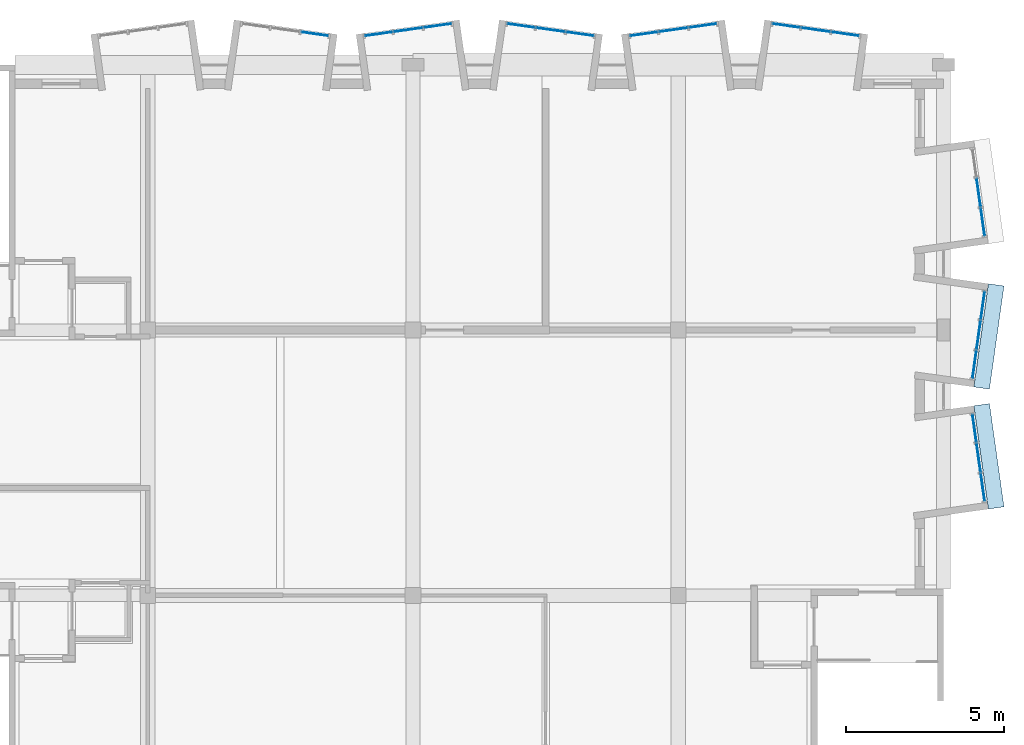
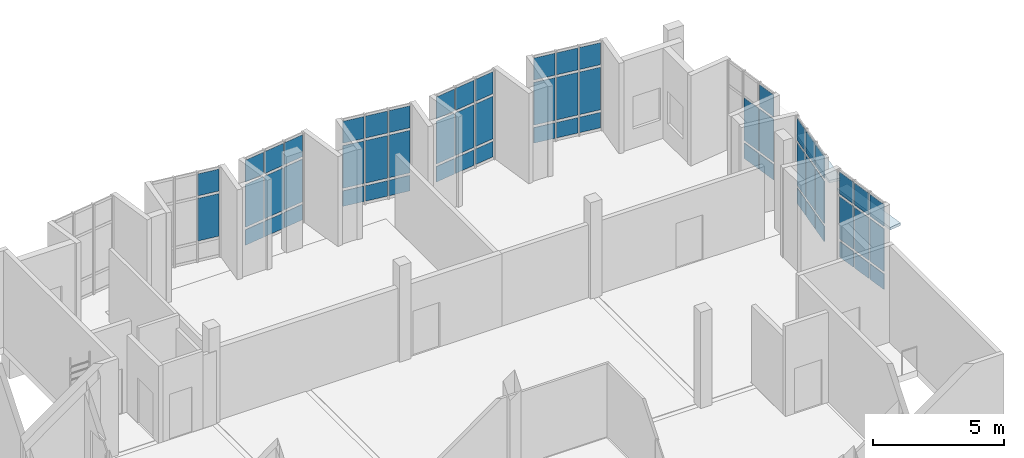
# One storey, part 9 of 15: 63 plates, 8 elements without a shape of their own.
"""IFC4 building model written with IfcOpenShell, lengths in metres."""

from ifc_helpers import new_model, si_unit, direction, frame, origin, origin_2d, place, context, subcontext, project, spatial, polyline, rectangle, outline, extrude, material, layer, layer_set, type_object, element, aggregate, save


model = new_model("IFC4")

# Units and contexts
model_context = context("Model", 3, precision=1e-05, world=origin(), true_north=direction((0.0, 1.0)))
body_context = subcontext(model_context, "Body", "Model", "MODEL_VIEW")
ifc_project = project(units=[si_unit("LENGTHUNIT", "METRE"), si_unit("AREAUNIT", "SQUARE_METRE"), si_unit("VOLUMEUNIT", "CUBIC_METRE"), si_unit("PLANEANGLEUNIT", "RADIAN"), si_unit("MASSUNIT", "GRAM", prefix="KILO")], contexts=[model_context])

# Site, building, storey
site_placement = place(None, origin())
site = spatial("IfcSite", under=ifc_project, at=site_placement, CompositionType="ELEMENT")
building_placement = place(site_placement, origin())
building = spatial("IfcBuilding", under=site, at=building_placement, Name="Kiln Court Media Centre", CompositionType="ELEMENT")
storey_placement = place(building_placement, frame((0.0, 0.0, 38.10009765625)))
storey = spatial("IfcBuildingStorey", under=building, at=storey_placement, Name="L08", CompositionType="ELEMENT", Elevation=38.10009765625)

# Plates
ifc_material_1 = material(Name="Concrete C30/37", Category="concrete")
ifc_layer_1 = layer(ifc_material_1, 0.1201171875)
ifc_layer_set_1 = layer_set([ifc_layer_1], Name="Concrete C30/37 sunshade hood 120")
plate_type_1 = type_object("IfcPlateType", Name="Concrete C30/37 sunshade hood 120", PredefinedType="USERDEFINED", material=ifc_layer_set_1)
plate_1_placement = place(storey_placement, frame((0.0, 0.0, 3.0)))
element("IfcPlate", 1, at=plate_1_placement, inside=storey, type_object=plate_type_1, Name="SUNSHADE V6A-E-L08-20", ObjectType="SUNSHADE", PredefinedType="USERDEFINED", context=body_context, shape_type="SweptSolid", body=[
    extrude(outline(polyline([(35.01806640625, 11.133056640625), (34.55859375, 14.40087890625), (35.0537109375, 14.470458984375), (35.51318359375, 11.20263671875), (35.01806640625, 11.133056640625)])), origin(), (0.0, 0.0, 1.0), 0.119873046875),
])
plate_2_placement = place(storey_placement, frame((0.0, 0.0, 3.0)))
element("IfcPlate", 2, at=plate_2_placement, inside=storey, type_object=plate_type_1, Name="SUNSHADE V6A-E-L08-21", ObjectType="SUNSHADE", PredefinedType="USERDEFINED", context=body_context, shape_type="SweptSolid", body=[
    extrude(outline(polyline([(34.55859375, 14.9990234375), (35.01806640625, 18.266845703125), (35.51318359375, 18.197265625), (35.0537109375, 14.929443359375), (34.55859375, 14.9990234375)])), origin(), (0.0, 0.0, 1.0), 0.119873046875),
])

# Curtain wall, plates
ifc_material_2 = material(Name="Aluminium 6063-T6", Category="aluminium")
ifc_layer_2 = layer(ifc_material_2, 0.1201171875)
ifc_layer_set_2 = layer_set([ifc_layer_2], Name="Aluminium unitised bay curtain wall")
curtain_wall_type = type_object("IfcCurtainWallType", Name="Aluminium unitised bay curtain wall", PredefinedType="USERDEFINED", material=ifc_layer_set_2)
curtain_wall_1_placement = place(storey_placement, origin())
curtain_wall_1 = element("IfcCurtainWall", 3, at=curtain_wall_1_placement, inside=storey, type_object=curtain_wall_type, Name="BAY V6A-E-L08-20 front", ObjectType="UNITISED CURTAIN WALL", PredefinedType="USERDEFINED")
ifc_material_3 = material(Name="Aluminium insulated spandrel", Category="aluminium")
ifc_layer_3 = layer(ifc_material_3, 0.028076171875)
ifc_layer_set_3 = layer_set([ifc_layer_3], Name="Insulated spandrel panel 28")
plate_type_2 = type_object("IfcPlateType", Name="Insulated spandrel panel 28", PredefinedType="CURTAIN_PANEL", material=ifc_layer_set_3)
plate_3_placement = place(storey_placement, frame((34.840087890625, 11.8232421875, 0.1201171875), z_axis=(0.0, 0.0, 1.0), x_axis=(-0.139162472554, 0.990269562409, 0.0)))
plate_3 = element("IfcPlate", 4, at=plate_3_placement, type_object=plate_type_2, Name="CW8-01 panel 1.1", PredefinedType="CURTAIN_PANEL", context=body_context, shape_type="SweptSolid", body=[
    extrude(rectangle(XDim=0.86669921875, YDim=0.028076171875, at=origin_2d()), origin(), (0.0, 0.0, 1.0), 0.719970703125),
])
plate_4_placement = place(storey_placement, frame((34.708984375, 12.755859375, 0.1201171875), z_axis=(0.0, 0.0, 1.0), x_axis=(-0.139162472554, 0.990269562409, 0.0)))
plate_4 = element("IfcPlate", 5, at=plate_4_placement, type_object=plate_type_2, Name="CW8-01 panel 2.1", PredefinedType="CURTAIN_PANEL", context=body_context, shape_type="SweptSolid", body=[
    extrude(rectangle(XDim=0.896728515625, YDim=0.028076171875, at=origin_2d()), origin(), (0.0, 0.0, 1.0), 0.719970703125),
])
plate_5_placement = place(storey_placement, frame((34.578125, 13.6884765625, 0.1201171875), z_axis=(0.0, 0.0, 1.0), x_axis=(-0.139162472554, 0.990269562409, 0.0)))
plate_5 = element("IfcPlate", 6, at=plate_5_placement, type_object=plate_type_2, Name="CW8-01 panel 3.1", PredefinedType="CURTAIN_PANEL", context=body_context, shape_type="SweptSolid", body=[
    extrude(rectangle(XDim=0.86669921875, YDim=0.028076171875, at=origin_2d()), origin(), (0.0, 0.0, 1.0), 0.719970703125),
])

curtain_wall_2_placement = place(storey_placement, origin())
curtain_wall_2 = element("IfcCurtainWall", 7, at=curtain_wall_2_placement, inside=storey, type_object=curtain_wall_type, Name="BAY V6A-E-L08-21 front", ObjectType="UNITISED CURTAIN WALL", PredefinedType="USERDEFINED")
plate_6_placement = place(storey_placement, frame((34.578125, 15.711669921875, 0.1201171875), z_axis=(0.0, 0.0, 1.0), x_axis=(0.139162472554, 0.990269562409, 0.0)))
plate_6 = element("IfcPlate", 8, at=plate_6_placement, type_object=plate_type_2, Name="CW8-02 panel 1.1", PredefinedType="CURTAIN_PANEL", context=body_context, shape_type="SweptSolid", body=[
    extrude(rectangle(XDim=0.86669921875, YDim=0.028076171875, at=origin_2d()), origin(), (0.0, 0.0, 1.0), 0.719970703125),
])
plate_7_placement = place(storey_placement, frame((34.708984375, 16.64404296875, 0.1201171875), z_axis=(0.0, 0.0, 1.0), x_axis=(0.139162472554, 0.990269562409, 0.0)))
plate_7 = element("IfcPlate", 9, at=plate_7_placement, type_object=plate_type_2, Name="CW8-02 panel 2.1", PredefinedType="CURTAIN_PANEL", context=body_context, shape_type="SweptSolid", body=[
    extrude(rectangle(XDim=0.896728515625, YDim=0.028076171875, at=origin_2d()), origin(), (0.0, 0.0, 1.0), 0.719970703125),
])
plate_8_placement = place(storey_placement, frame((34.840087890625, 17.57666015625, 0.1201171875), z_axis=(0.0, 0.0, 1.0), x_axis=(0.139162472554, 0.990269562409, 0.0)))
plate_8 = element("IfcPlate", 10, at=plate_8_placement, type_object=plate_type_2, Name="CW8-02 panel 3.1", PredefinedType="CURTAIN_PANEL", context=body_context, shape_type="SweptSolid", body=[
    extrude(rectangle(XDim=0.86669921875, YDim=0.028076171875, at=origin_2d()), origin(), (0.0, 0.0, 1.0), 0.719970703125),
])

curtain_wall_3_placement = place(storey_placement, origin())
curtain_wall_3 = element("IfcCurtainWall", 11, at=curtain_wall_3_placement, inside=storey, type_object=curtain_wall_type, Name="BAY V6A-E-L08-22 front", ObjectType="UNITISED CURTAIN WALL", PredefinedType="USERDEFINED")
plate_9_placement = place(storey_placement, frame((34.840087890625, 20.223388671875, 0.1201171875), z_axis=(0.0, 0.0, 1.0), x_axis=(-0.139162472554, 0.990269562409, 0.0)))
plate_9 = element("IfcPlate", 12, at=plate_9_placement, type_object=plate_type_2, Name="CW8-03 panel 1.1", PredefinedType="CURTAIN_PANEL", context=body_context, shape_type="SweptSolid", body=[
    extrude(rectangle(XDim=0.86669921875, YDim=0.028076171875, at=origin_2d()), origin(), (0.0, 0.0, 1.0), 0.719970703125),
])
plate_10_placement = place(storey_placement, frame((34.708984375, 21.15576171875, 0.1201171875), z_axis=(0.0, 0.0, 1.0), x_axis=(-0.139162472554, 0.990269562409, 0.0)))
plate_10 = element("IfcPlate", 13, at=plate_10_placement, type_object=plate_type_2, Name="CW8-03 panel 2.1", PredefinedType="CURTAIN_PANEL", context=body_context, shape_type="SweptSolid", body=[
    extrude(rectangle(XDim=0.896728515625, YDim=0.028076171875, at=origin_2d()), origin(), (0.0, 0.0, 1.0), 0.719970703125),
])

curtain_wall_4_placement = place(storey_placement, origin())
curtain_wall_4 = element("IfcCurtainWall", 14, at=curtain_wall_4_placement, inside=storey, type_object=curtain_wall_type, Name="BAY V6A-N-L08-55 front", ObjectType="UNITISED CURTAIN WALL", PredefinedType="USERDEFINED")
plate_11_placement = place(storey_placement, frame((15.711669921875, 26.177978515625, 0.1201171875), z_axis=(0.0, 0.0, 1.0), x_axis=(0.990269562409, 0.139162472554, 0.0)))
plate_11 = element("IfcPlate", 15, at=plate_11_placement, type_object=plate_type_2, Name="CW8-06 panel 1.1", PredefinedType="CURTAIN_PANEL", context=body_context, shape_type="SweptSolid", body=[
    extrude(rectangle(XDim=0.86669921875, YDim=0.028076171875, at=origin_2d()), origin(), (0.0, 0.0, 1.0), 0.719970703125),
])
plate_12_placement = place(storey_placement, frame((16.64404296875, 26.30908203125, 0.1201171875), z_axis=(0.0, 0.0, 1.0), x_axis=(0.990269562409, 0.139162472554, 0.0)))
plate_12 = element("IfcPlate", 16, at=plate_12_placement, type_object=plate_type_2, Name="CW8-06 panel 2.1", PredefinedType="CURTAIN_PANEL", context=body_context, shape_type="SweptSolid", body=[
    extrude(rectangle(XDim=0.896728515625, YDim=0.028076171875, at=origin_2d()), origin(), (0.0, 0.0, 1.0), 0.719970703125),
])
plate_13_placement = place(storey_placement, frame((17.57666015625, 26.440185546875, 0.1201171875), z_axis=(0.0, 0.0, 1.0), x_axis=(0.990269562409, 0.139162472554, 0.0)))
plate_13 = element("IfcPlate", 17, at=plate_13_placement, type_object=plate_type_2, Name="CW8-06 panel 3.1", PredefinedType="CURTAIN_PANEL", context=body_context, shape_type="SweptSolid", body=[
    extrude(rectangle(XDim=0.86669921875, YDim=0.028076171875, at=origin_2d()), origin(), (0.0, 0.0, 1.0), 0.719970703125),
])

curtain_wall_5_placement = place(storey_placement, origin())
curtain_wall_5 = element("IfcCurtainWall", 18, at=curtain_wall_5_placement, inside=storey, type_object=curtain_wall_type, Name="BAY V6A-N-L08-56 front", ObjectType="UNITISED CURTAIN WALL", PredefinedType="USERDEFINED")
plate_14_placement = place(storey_placement, frame((20.223388671875, 26.440185546875, 0.1201171875), z_axis=(0.0, 0.0, 1.0), x_axis=(0.990269562409, -0.139162472554, 0.0)))
plate_14 = element("IfcPlate", 19, at=plate_14_placement, type_object=plate_type_2, Name="CW8-07 panel 1.1", PredefinedType="CURTAIN_PANEL", context=body_context, shape_type="SweptSolid", body=[
    extrude(rectangle(XDim=0.86669921875, YDim=0.028076171875, at=origin_2d()), origin(), (0.0, 0.0, 1.0), 0.719970703125),
])
plate_15_placement = place(storey_placement, frame((21.15576171875, 26.30908203125, 0.1201171875), z_axis=(0.0, 0.0, 1.0), x_axis=(0.990269562409, -0.139162472554, 0.0)))
plate_15 = element("IfcPlate", 20, at=plate_15_placement, type_object=plate_type_2, Name="CW8-07 panel 2.1", PredefinedType="CURTAIN_PANEL", context=body_context, shape_type="SweptSolid", body=[
    extrude(rectangle(XDim=0.896728515625, YDim=0.028076171875, at=origin_2d()), origin(), (0.0, 0.0, 1.0), 0.719970703125),
])
plate_16_placement = place(storey_placement, frame((22.08837890625, 26.177978515625, 0.1201171875), z_axis=(0.0, 0.0, 1.0), x_axis=(0.990269562409, -0.139162472554, 0.0)))
plate_16 = element("IfcPlate", 21, at=plate_16_placement, type_object=plate_type_2, Name="CW8-07 panel 3.1", PredefinedType="CURTAIN_PANEL", context=body_context, shape_type="SweptSolid", body=[
    extrude(rectangle(XDim=0.86669921875, YDim=0.028076171875, at=origin_2d()), origin(), (0.0, 0.0, 1.0), 0.719970703125),
])

curtain_wall_6_placement = place(storey_placement, origin())
curtain_wall_6 = element("IfcCurtainWall", 22, at=curtain_wall_6_placement, inside=storey, type_object=curtain_wall_type, Name="BAY V6A-N-L08-57 front", ObjectType="UNITISED CURTAIN WALL", PredefinedType="USERDEFINED")
plate_17_placement = place(storey_placement, frame((24.111572265625, 26.177978515625, 0.1201171875), z_axis=(0.0, 0.0, 1.0), x_axis=(0.990269562409, 0.139162472554, 0.0)))
plate_17 = element("IfcPlate", 23, at=plate_17_placement, type_object=plate_type_2, Name="CW8-08 panel 1.1", PredefinedType="CURTAIN_PANEL", context=body_context, shape_type="SweptSolid", body=[
    extrude(rectangle(XDim=0.86669921875, YDim=0.028076171875, at=origin_2d()), origin(), (0.0, 0.0, 1.0), 0.719970703125),
])
plate_18_placement = place(storey_placement, frame((25.044189453125, 26.30908203125, 0.1201171875), z_axis=(0.0, 0.0, 1.0), x_axis=(0.990269562409, 0.139162472554, 0.0)))
plate_18 = element("IfcPlate", 24, at=plate_18_placement, type_object=plate_type_2, Name="CW8-08 panel 2.1", PredefinedType="CURTAIN_PANEL", context=body_context, shape_type="SweptSolid", body=[
    extrude(rectangle(XDim=0.896728515625, YDim=0.028076171875, at=origin_2d()), origin(), (0.0, 0.0, 1.0), 0.719970703125),
])
plate_19_placement = place(storey_placement, frame((25.9765625, 26.440185546875, 0.1201171875), z_axis=(0.0, 0.0, 1.0), x_axis=(0.990269562409, 0.139162472554, 0.0)))
plate_19 = element("IfcPlate", 25, at=plate_19_placement, type_object=plate_type_2, Name="CW8-08 panel 3.1", PredefinedType="CURTAIN_PANEL", context=body_context, shape_type="SweptSolid", body=[
    extrude(rectangle(XDim=0.86669921875, YDim=0.028076171875, at=origin_2d()), origin(), (0.0, 0.0, 1.0), 0.719970703125),
])

curtain_wall_7_placement = place(storey_placement, origin())
curtain_wall_7 = element("IfcCurtainWall", 26, at=curtain_wall_7_placement, inside=storey, type_object=curtain_wall_type, Name="BAY V6A-N-L08-58 front", ObjectType="UNITISED CURTAIN WALL", PredefinedType="USERDEFINED")
plate_20_placement = place(storey_placement, frame((28.623291015625, 26.440185546875, 0.1201171875), z_axis=(0.0, 0.0, 1.0), x_axis=(0.990269562409, -0.139162472554, 0.0)))
plate_20 = element("IfcPlate", 27, at=plate_20_placement, type_object=plate_type_2, Name="CW8-09 panel 1.1", PredefinedType="CURTAIN_PANEL", context=body_context, shape_type="SweptSolid", body=[
    extrude(rectangle(XDim=0.86669921875, YDim=0.028076171875, at=origin_2d()), origin(), (0.0, 0.0, 1.0), 0.719970703125),
])
plate_21_placement = place(storey_placement, frame((29.555908203125, 26.30908203125, 0.1201171875), z_axis=(0.0, 0.0, 1.0), x_axis=(0.990269562409, -0.139162472554, 0.0)))
plate_21 = element("IfcPlate", 28, at=plate_21_placement, type_object=plate_type_2, Name="CW8-09 panel 2.1", PredefinedType="CURTAIN_PANEL", context=body_context, shape_type="SweptSolid", body=[
    extrude(rectangle(XDim=0.896728515625, YDim=0.028076171875, at=origin_2d()), origin(), (0.0, 0.0, 1.0), 0.719970703125),
])
plate_22_placement = place(storey_placement, frame((30.48828125, 26.177978515625, 0.1201171875), z_axis=(0.0, 0.0, 1.0), x_axis=(0.990269562409, -0.139162472554, 0.0)))
plate_22 = element("IfcPlate", 29, at=plate_22_placement, type_object=plate_type_2, Name="CW8-09 panel 3.1", PredefinedType="CURTAIN_PANEL", context=body_context, shape_type="SweptSolid", body=[
    extrude(rectangle(XDim=0.86669921875, YDim=0.028076171875, at=origin_2d()), origin(), (0.0, 0.0, 1.0), 0.719970703125),
])

# Plate
ifc_material_4 = material(Name="Low-E double glazing", Category="glass")
ifc_layer_4 = layer(ifc_material_4, 0.028076171875)
ifc_layer_set_4 = layer_set([ifc_layer_4], Name="Low-E double glazed panel 28")
plate_type_3 = type_object("IfcPlateType", Name="Low-E double glazed panel 28", PredefinedType="CURTAIN_PANEL", material=ifc_layer_set_4)
plate_23_placement = place(storey_placement, frame((34.840087890625, 11.8232421875, 0.9599609375), z_axis=(0.0, 0.0, 1.0), x_axis=(-0.139162472554, 0.990269562409, 0.0)))
plate_23 = element("IfcPlate", 30, at=plate_23_placement, type_object=plate_type_3, Name="CW8-01 panel 1.2", PredefinedType="CURTAIN_PANEL", context=body_context, shape_type="SweptSolid", body=[
    extrude(rectangle(XDim=0.86669921875, YDim=0.028076171875, at=origin_2d()), origin(), (0.0, 0.0, 1.0), 1.97998046875),
])

plate_24_placement = place(storey_placement, frame((34.840087890625, 11.8232421875, 3.059814453125), z_axis=(0.0, 0.0, 1.0), x_axis=(-0.139162472554, 0.990269562409, 0.0)))
plate_24 = element("IfcPlate", 31, at=plate_24_placement, type_object=plate_type_3, Name="CW8-01 panel 1.3", PredefinedType="CURTAIN_PANEL", context=body_context, shape_type="SweptSolid", body=[
    extrude(rectangle(XDim=0.86669921875, YDim=0.028076171875, at=origin_2d()), origin(), (0.0, 0.0, 1.0), 1.02001953125),
])

plate_25_placement = place(storey_placement, frame((34.708984375, 12.755859375, 0.9599609375), z_axis=(0.0, 0.0, 1.0), x_axis=(-0.139162472554, 0.990269562409, 0.0)))
plate_25 = element("IfcPlate", 32, at=plate_25_placement, type_object=plate_type_3, Name="CW8-01 panel 2.2", PredefinedType="CURTAIN_PANEL", context=body_context, shape_type="SweptSolid", body=[
    extrude(rectangle(XDim=0.896728515625, YDim=0.028076171875, at=origin_2d()), origin(), (0.0, 0.0, 1.0), 1.97998046875),
])

plate_26_placement = place(storey_placement, frame((34.708984375, 12.755859375, 3.059814453125), z_axis=(0.0, 0.0, 1.0), x_axis=(-0.139162472554, 0.990269562409, 0.0)))
plate_26 = element("IfcPlate", 33, at=plate_26_placement, type_object=plate_type_3, Name="CW8-01 panel 2.3", PredefinedType="CURTAIN_PANEL", context=body_context, shape_type="SweptSolid", body=[
    extrude(rectangle(XDim=0.896728515625, YDim=0.028076171875, at=origin_2d()), origin(), (0.0, 0.0, 1.0), 1.02001953125),
])

plate_27_placement = place(storey_placement, frame((34.578125, 13.6884765625, 0.9599609375), z_axis=(0.0, 0.0, 1.0), x_axis=(-0.139162472554, 0.990269562409, 0.0)))
plate_27 = element("IfcPlate", 34, at=plate_27_placement, type_object=plate_type_3, Name="CW8-01 panel 3.2", PredefinedType="CURTAIN_PANEL", context=body_context, shape_type="SweptSolid", body=[
    extrude(rectangle(XDim=0.86669921875, YDim=0.028076171875, at=origin_2d()), origin(), (0.0, 0.0, 1.0), 1.97998046875),
])

plate_28_placement = place(storey_placement, frame((34.578125, 13.6884765625, 3.059814453125), z_axis=(0.0, 0.0, 1.0), x_axis=(-0.139162472554, 0.990269562409, 0.0)))
plate_28 = element("IfcPlate", 35, at=plate_28_placement, type_object=plate_type_3, Name="CW8-01 panel 3.3", PredefinedType="CURTAIN_PANEL", context=body_context, shape_type="SweptSolid", body=[
    extrude(rectangle(XDim=0.86669921875, YDim=0.028076171875, at=origin_2d()), origin(), (0.0, 0.0, 1.0), 1.02001953125),
])

aggregate(curtain_wall_1, [plate_3, plate_23, plate_24, plate_4, plate_25, plate_26, plate_5, plate_27, plate_28])

plate_29_placement = place(storey_placement, frame((34.578125, 15.711669921875, 0.9599609375), z_axis=(0.0, 0.0, 1.0), x_axis=(0.139162472554, 0.990269562409, 0.0)))
plate_29 = element("IfcPlate", 36, at=plate_29_placement, type_object=plate_type_3, Name="CW8-02 panel 1.2", PredefinedType="CURTAIN_PANEL", context=body_context, shape_type="SweptSolid", body=[
    extrude(rectangle(XDim=0.86669921875, YDim=0.028076171875, at=origin_2d()), origin(), (0.0, 0.0, 1.0), 1.97998046875),
])

plate_30_placement = place(storey_placement, frame((34.578125, 15.711669921875, 3.059814453125), z_axis=(0.0, 0.0, 1.0), x_axis=(0.139162472554, 0.990269562409, 0.0)))
plate_30 = element("IfcPlate", 37, at=plate_30_placement, type_object=plate_type_3, Name="CW8-02 panel 1.3", PredefinedType="CURTAIN_PANEL", context=body_context, shape_type="SweptSolid", body=[
    extrude(rectangle(XDim=0.86669921875, YDim=0.028076171875, at=origin_2d()), origin(), (0.0, 0.0, 1.0), 1.02001953125),
])

plate_31_placement = place(storey_placement, frame((34.708984375, 16.64404296875, 0.9599609375), z_axis=(0.0, 0.0, 1.0), x_axis=(0.139162472554, 0.990269562409, 0.0)))
plate_31 = element("IfcPlate", 38, at=plate_31_placement, type_object=plate_type_3, Name="CW8-02 panel 2.2", PredefinedType="CURTAIN_PANEL", context=body_context, shape_type="SweptSolid", body=[
    extrude(rectangle(XDim=0.896728515625, YDim=0.028076171875, at=origin_2d()), origin(), (0.0, 0.0, 1.0), 1.97998046875),
])

plate_32_placement = place(storey_placement, frame((34.708984375, 16.64404296875, 3.059814453125), z_axis=(0.0, 0.0, 1.0), x_axis=(0.139162472554, 0.990269562409, 0.0)))
plate_32 = element("IfcPlate", 39, at=plate_32_placement, type_object=plate_type_3, Name="CW8-02 panel 2.3", PredefinedType="CURTAIN_PANEL", context=body_context, shape_type="SweptSolid", body=[
    extrude(rectangle(XDim=0.896728515625, YDim=0.028076171875, at=origin_2d()), origin(), (0.0, 0.0, 1.0), 1.02001953125),
])

plate_33_placement = place(storey_placement, frame((34.840087890625, 17.57666015625, 0.9599609375), z_axis=(0.0, 0.0, 1.0), x_axis=(0.139162472554, 0.990269562409, 0.0)))
plate_33 = element("IfcPlate", 40, at=plate_33_placement, type_object=plate_type_3, Name="CW8-02 panel 3.2", PredefinedType="CURTAIN_PANEL", context=body_context, shape_type="SweptSolid", body=[
    extrude(rectangle(XDim=0.86669921875, YDim=0.028076171875, at=origin_2d()), origin(), (0.0, 0.0, 1.0), 1.97998046875),
])

plate_34_placement = place(storey_placement, frame((34.840087890625, 17.57666015625, 3.059814453125), z_axis=(0.0, 0.0, 1.0), x_axis=(0.139162472554, 0.990269562409, 0.0)))
plate_34 = element("IfcPlate", 41, at=plate_34_placement, type_object=plate_type_3, Name="CW8-02 panel 3.3", PredefinedType="CURTAIN_PANEL", context=body_context, shape_type="SweptSolid", body=[
    extrude(rectangle(XDim=0.86669921875, YDim=0.028076171875, at=origin_2d()), origin(), (0.0, 0.0, 1.0), 1.02001953125),
])

aggregate(curtain_wall_2, [plate_6, plate_29, plate_30, plate_7, plate_31, plate_32, plate_8, plate_33, plate_34])

plate_35_placement = place(storey_placement, frame((34.840087890625, 20.223388671875, 0.9599609375), z_axis=(0.0, 0.0, 1.0), x_axis=(-0.139162472554, 0.990269562409, 0.0)))
plate_35 = element("IfcPlate", 42, at=plate_35_placement, type_object=plate_type_3, Name="CW8-03 panel 1.2", PredefinedType="CURTAIN_PANEL", context=body_context, shape_type="SweptSolid", body=[
    extrude(rectangle(XDim=0.86669921875, YDim=0.028076171875, at=origin_2d()), origin(), (0.0, 0.0, 1.0), 1.97998046875),
])

plate_36_placement = place(storey_placement, frame((34.840087890625, 20.223388671875, 3.059814453125), z_axis=(0.0, 0.0, 1.0), x_axis=(-0.139162472554, 0.990269562409, 0.0)))
plate_36 = element("IfcPlate", 43, at=plate_36_placement, type_object=plate_type_3, Name="CW8-03 panel 1.3", PredefinedType="CURTAIN_PANEL", context=body_context, shape_type="SweptSolid", body=[
    extrude(rectangle(XDim=0.86669921875, YDim=0.028076171875, at=origin_2d()), origin(), (0.0, 0.0, 1.0), 1.02001953125),
])

plate_37_placement = place(storey_placement, frame((34.708984375, 21.15576171875, 0.9599609375), z_axis=(0.0, 0.0, 1.0), x_axis=(-0.139162472554, 0.990269562409, 0.0)))
plate_37 = element("IfcPlate", 44, at=plate_37_placement, type_object=plate_type_3, Name="CW8-03 panel 2.2", PredefinedType="CURTAIN_PANEL", context=body_context, shape_type="SweptSolid", body=[
    extrude(rectangle(XDim=0.896728515625, YDim=0.028076171875, at=origin_2d()), origin(), (0.0, 0.0, 1.0), 1.97998046875),
])

aggregate(curtain_wall_3, [plate_9, plate_35, plate_36, plate_10, plate_37])

# Curtain wall, plates
curtain_wall_8_placement = place(storey_placement, origin())
curtain_wall_8 = element("IfcCurtainWall", 45, at=curtain_wall_8_placement, inside=storey, type_object=curtain_wall_type, Name="BAY V6A-N-L08-54 front", ObjectType="UNITISED CURTAIN WALL", PredefinedType="USERDEFINED")
plate_38_placement = place(storey_placement, frame((13.6884765625, 26.177978515625, 0.9599609375), z_axis=(0.0, 0.0, 1.0), x_axis=(0.990269562409, -0.139162472554, 0.0)))
plate_38 = element("IfcPlate", 46, at=plate_38_placement, type_object=plate_type_3, Name="CW8-05 panel 3.2", PredefinedType="CURTAIN_PANEL", context=body_context, shape_type="SweptSolid", body=[
    extrude(rectangle(XDim=0.86669921875, YDim=0.028076171875, at=origin_2d()), origin(), (0.0, 0.0, 1.0), 1.97998046875),
])
plate_39_placement = place(storey_placement, frame((13.6884765625, 26.177978515625, 3.059814453125), z_axis=(0.0, 0.0, 1.0), x_axis=(0.990269562409, -0.139162472554, 0.0)))
plate_39 = element("IfcPlate", 47, at=plate_39_placement, type_object=plate_type_3, Name="CW8-05 panel 3.3", PredefinedType="CURTAIN_PANEL", context=body_context, shape_type="SweptSolid", body=[
    extrude(rectangle(XDim=0.86669921875, YDim=0.028076171875, at=origin_2d()), origin(), (0.0, 0.0, 1.0), 1.02001953125),
])
aggregate(curtain_wall_8, [plate_38, plate_39])

# Plate
plate_40_placement = place(storey_placement, frame((15.711669921875, 26.177978515625, 0.9599609375), z_axis=(0.0, 0.0, 1.0), x_axis=(0.990269562409, 0.139162472554, 0.0)))
plate_40 = element("IfcPlate", 48, at=plate_40_placement, type_object=plate_type_3, Name="CW8-06 panel 1.2", PredefinedType="CURTAIN_PANEL", context=body_context, shape_type="SweptSolid", body=[
    extrude(rectangle(XDim=0.86669921875, YDim=0.028076171875, at=origin_2d()), origin(), (0.0, 0.0, 1.0), 1.97998046875),
])

plate_41_placement = place(storey_placement, frame((15.711669921875, 26.177978515625, 3.059814453125), z_axis=(0.0, 0.0, 1.0), x_axis=(0.990269562409, 0.139162472554, 0.0)))
plate_41 = element("IfcPlate", 49, at=plate_41_placement, type_object=plate_type_3, Name="CW8-06 panel 1.3", PredefinedType="CURTAIN_PANEL", context=body_context, shape_type="SweptSolid", body=[
    extrude(rectangle(XDim=0.86669921875, YDim=0.028076171875, at=origin_2d()), origin(), (0.0, 0.0, 1.0), 1.02001953125),
])

plate_42_placement = place(storey_placement, frame((16.64404296875, 26.30908203125, 0.9599609375), z_axis=(0.0, 0.0, 1.0), x_axis=(0.990269562409, 0.139162472554, 0.0)))
plate_42 = element("IfcPlate", 50, at=plate_42_placement, type_object=plate_type_3, Name="CW8-06 panel 2.2", PredefinedType="CURTAIN_PANEL", context=body_context, shape_type="SweptSolid", body=[
    extrude(rectangle(XDim=0.896728515625, YDim=0.028076171875, at=origin_2d()), origin(), (0.0, 0.0, 1.0), 1.97998046875),
])

plate_43_placement = place(storey_placement, frame((16.64404296875, 26.30908203125, 3.059814453125), z_axis=(0.0, 0.0, 1.0), x_axis=(0.990269562409, 0.139162472554, 0.0)))
plate_43 = element("IfcPlate", 51, at=plate_43_placement, type_object=plate_type_3, Name="CW8-06 panel 2.3", PredefinedType="CURTAIN_PANEL", context=body_context, shape_type="SweptSolid", body=[
    extrude(rectangle(XDim=0.896728515625, YDim=0.028076171875, at=origin_2d()), origin(), (0.0, 0.0, 1.0), 1.02001953125),
])

plate_44_placement = place(storey_placement, frame((17.57666015625, 26.440185546875, 0.9599609375), z_axis=(0.0, 0.0, 1.0), x_axis=(0.990269562409, 0.139162472554, 0.0)))
plate_44 = element("IfcPlate", 52, at=plate_44_placement, type_object=plate_type_3, Name="CW8-06 panel 3.2", PredefinedType="CURTAIN_PANEL", context=body_context, shape_type="SweptSolid", body=[
    extrude(rectangle(XDim=0.86669921875, YDim=0.028076171875, at=origin_2d()), origin(), (0.0, 0.0, 1.0), 1.97998046875),
])

plate_45_placement = place(storey_placement, frame((17.57666015625, 26.440185546875, 3.059814453125), z_axis=(0.0, 0.0, 1.0), x_axis=(0.990269562409, 0.139162472554, 0.0)))
plate_45 = element("IfcPlate", 53, at=plate_45_placement, type_object=plate_type_3, Name="CW8-06 panel 3.3", PredefinedType="CURTAIN_PANEL", context=body_context, shape_type="SweptSolid", body=[
    extrude(rectangle(XDim=0.86669921875, YDim=0.028076171875, at=origin_2d()), origin(), (0.0, 0.0, 1.0), 1.02001953125),
])

aggregate(curtain_wall_4, [plate_11, plate_40, plate_41, plate_12, plate_42, plate_43, plate_13, plate_44, plate_45])

plate_46_placement = place(storey_placement, frame((20.223388671875, 26.440185546875, 0.9599609375), z_axis=(0.0, 0.0, 1.0), x_axis=(0.990269562409, -0.139162472554, 0.0)))
plate_46 = element("IfcPlate", 54, at=plate_46_placement, type_object=plate_type_3, Name="CW8-07 panel 1.2", PredefinedType="CURTAIN_PANEL", context=body_context, shape_type="SweptSolid", body=[
    extrude(rectangle(XDim=0.86669921875, YDim=0.028076171875, at=origin_2d()), origin(), (0.0, 0.0, 1.0), 1.97998046875),
])

plate_47_placement = place(storey_placement, frame((20.223388671875, 26.440185546875, 3.059814453125), z_axis=(0.0, 0.0, 1.0), x_axis=(0.990269562409, -0.139162472554, 0.0)))
plate_47 = element("IfcPlate", 55, at=plate_47_placement, type_object=plate_type_3, Name="CW8-07 panel 1.3", PredefinedType="CURTAIN_PANEL", context=body_context, shape_type="SweptSolid", body=[
    extrude(rectangle(XDim=0.86669921875, YDim=0.028076171875, at=origin_2d()), origin(), (0.0, 0.0, 1.0), 1.02001953125),
])

plate_48_placement = place(storey_placement, frame((21.15576171875, 26.30908203125, 0.9599609375), z_axis=(0.0, 0.0, 1.0), x_axis=(0.990269562409, -0.139162472554, 0.0)))
plate_48 = element("IfcPlate", 56, at=plate_48_placement, type_object=plate_type_3, Name="CW8-07 panel 2.2", PredefinedType="CURTAIN_PANEL", context=body_context, shape_type="SweptSolid", body=[
    extrude(rectangle(XDim=0.896728515625, YDim=0.028076171875, at=origin_2d()), origin(), (0.0, 0.0, 1.0), 1.97998046875),
])

plate_49_placement = place(storey_placement, frame((21.15576171875, 26.30908203125, 3.059814453125), z_axis=(0.0, 0.0, 1.0), x_axis=(0.990269562409, -0.139162472554, 0.0)))
plate_49 = element("IfcPlate", 57, at=plate_49_placement, type_object=plate_type_3, Name="CW8-07 panel 2.3", PredefinedType="CURTAIN_PANEL", context=body_context, shape_type="SweptSolid", body=[
    extrude(rectangle(XDim=0.896728515625, YDim=0.028076171875, at=origin_2d()), origin(), (0.0, 0.0, 1.0), 1.02001953125),
])

plate_50_placement = place(storey_placement, frame((22.08837890625, 26.177978515625, 0.9599609375), z_axis=(0.0, 0.0, 1.0), x_axis=(0.990269562409, -0.139162472554, 0.0)))
plate_50 = element("IfcPlate", 58, at=plate_50_placement, type_object=plate_type_3, Name="CW8-07 panel 3.2", PredefinedType="CURTAIN_PANEL", context=body_context, shape_type="SweptSolid", body=[
    extrude(rectangle(XDim=0.86669921875, YDim=0.028076171875, at=origin_2d()), origin(), (0.0, 0.0, 1.0), 1.97998046875),
])

plate_51_placement = place(storey_placement, frame((22.08837890625, 26.177978515625, 3.059814453125), z_axis=(0.0, 0.0, 1.0), x_axis=(0.990269562409, -0.139162472554, 0.0)))
plate_51 = element("IfcPlate", 59, at=plate_51_placement, type_object=plate_type_3, Name="CW8-07 panel 3.3", PredefinedType="CURTAIN_PANEL", context=body_context, shape_type="SweptSolid", body=[
    extrude(rectangle(XDim=0.86669921875, YDim=0.028076171875, at=origin_2d()), origin(), (0.0, 0.0, 1.0), 1.02001953125),
])

aggregate(curtain_wall_5, [plate_14, plate_46, plate_47, plate_15, plate_48, plate_49, plate_16, plate_50, plate_51])

plate_52_placement = place(storey_placement, frame((24.111572265625, 26.177978515625, 0.9599609375), z_axis=(0.0, 0.0, 1.0), x_axis=(0.990269562409, 0.139162472554, 0.0)))
plate_52 = element("IfcPlate", 60, at=plate_52_placement, type_object=plate_type_3, Name="CW8-08 panel 1.2", PredefinedType="CURTAIN_PANEL", context=body_context, shape_type="SweptSolid", body=[
    extrude(rectangle(XDim=0.86669921875, YDim=0.028076171875, at=origin_2d()), origin(), (0.0, 0.0, 1.0), 1.97998046875),
])

plate_53_placement = place(storey_placement, frame((24.111572265625, 26.177978515625, 3.059814453125), z_axis=(0.0, 0.0, 1.0), x_axis=(0.990269562409, 0.139162472554, 0.0)))
plate_53 = element("IfcPlate", 61, at=plate_53_placement, type_object=plate_type_3, Name="CW8-08 panel 1.3", PredefinedType="CURTAIN_PANEL", context=body_context, shape_type="SweptSolid", body=[
    extrude(rectangle(XDim=0.86669921875, YDim=0.028076171875, at=origin_2d()), origin(), (0.0, 0.0, 1.0), 1.02001953125),
])

plate_54_placement = place(storey_placement, frame((25.044189453125, 26.30908203125, 0.9599609375), z_axis=(0.0, 0.0, 1.0), x_axis=(0.990269562409, 0.139162472554, 0.0)))
plate_54 = element("IfcPlate", 62, at=plate_54_placement, type_object=plate_type_3, Name="CW8-08 panel 2.2", PredefinedType="CURTAIN_PANEL", context=body_context, shape_type="SweptSolid", body=[
    extrude(rectangle(XDim=0.896728515625, YDim=0.028076171875, at=origin_2d()), origin(), (0.0, 0.0, 1.0), 1.97998046875),
])

plate_55_placement = place(storey_placement, frame((25.044189453125, 26.30908203125, 3.059814453125), z_axis=(0.0, 0.0, 1.0), x_axis=(0.990269562409, 0.139162472554, 0.0)))
plate_55 = element("IfcPlate", 63, at=plate_55_placement, type_object=plate_type_3, Name="CW8-08 panel 2.3", PredefinedType="CURTAIN_PANEL", context=body_context, shape_type="SweptSolid", body=[
    extrude(rectangle(XDim=0.896728515625, YDim=0.028076171875, at=origin_2d()), origin(), (0.0, 0.0, 1.0), 1.02001953125),
])

plate_56_placement = place(storey_placement, frame((25.9765625, 26.440185546875, 0.9599609375), z_axis=(0.0, 0.0, 1.0), x_axis=(0.990269562409, 0.139162472554, 0.0)))
plate_56 = element("IfcPlate", 64, at=plate_56_placement, type_object=plate_type_3, Name="CW8-08 panel 3.2", PredefinedType="CURTAIN_PANEL", context=body_context, shape_type="SweptSolid", body=[
    extrude(rectangle(XDim=0.86669921875, YDim=0.028076171875, at=origin_2d()), origin(), (0.0, 0.0, 1.0), 1.97998046875),
])

plate_57_placement = place(storey_placement, frame((25.9765625, 26.440185546875, 3.059814453125), z_axis=(0.0, 0.0, 1.0), x_axis=(0.990269562409, 0.139162472554, 0.0)))
plate_57 = element("IfcPlate", 65, at=plate_57_placement, type_object=plate_type_3, Name="CW8-08 panel 3.3", PredefinedType="CURTAIN_PANEL", context=body_context, shape_type="SweptSolid", body=[
    extrude(rectangle(XDim=0.86669921875, YDim=0.028076171875, at=origin_2d()), origin(), (0.0, 0.0, 1.0), 1.02001953125),
])

aggregate(curtain_wall_6, [plate_17, plate_52, plate_53, plate_18, plate_54, plate_55, plate_19, plate_56, plate_57])

plate_58_placement = place(storey_placement, frame((28.623291015625, 26.440185546875, 0.9599609375), z_axis=(0.0, 0.0, 1.0), x_axis=(0.990269562409, -0.139162472554, 0.0)))
plate_58 = element("IfcPlate", 66, at=plate_58_placement, type_object=plate_type_3, Name="CW8-09 panel 1.2", PredefinedType="CURTAIN_PANEL", context=body_context, shape_type="SweptSolid", body=[
    extrude(rectangle(XDim=0.86669921875, YDim=0.028076171875, at=origin_2d()), origin(), (0.0, 0.0, 1.0), 1.97998046875),
])

plate_59_placement = place(storey_placement, frame((28.623291015625, 26.440185546875, 3.059814453125), z_axis=(0.0, 0.0, 1.0), x_axis=(0.990269562409, -0.139162472554, 0.0)))
plate_59 = element("IfcPlate", 67, at=plate_59_placement, type_object=plate_type_3, Name="CW8-09 panel 1.3", PredefinedType="CURTAIN_PANEL", context=body_context, shape_type="SweptSolid", body=[
    extrude(rectangle(XDim=0.86669921875, YDim=0.028076171875, at=origin_2d()), origin(), (0.0, 0.0, 1.0), 1.02001953125),
])

plate_60_placement = place(storey_placement, frame((29.555908203125, 26.30908203125, 0.9599609375), z_axis=(0.0, 0.0, 1.0), x_axis=(0.990269562409, -0.139162472554, 0.0)))
plate_60 = element("IfcPlate", 68, at=plate_60_placement, type_object=plate_type_3, Name="CW8-09 panel 2.2", PredefinedType="CURTAIN_PANEL", context=body_context, shape_type="SweptSolid", body=[
    extrude(rectangle(XDim=0.896728515625, YDim=0.028076171875, at=origin_2d()), origin(), (0.0, 0.0, 1.0), 1.97998046875),
])

plate_61_placement = place(storey_placement, frame((29.555908203125, 26.30908203125, 3.059814453125), z_axis=(0.0, 0.0, 1.0), x_axis=(0.990269562409, -0.139162472554, 0.0)))
plate_61 = element("IfcPlate", 69, at=plate_61_placement, type_object=plate_type_3, Name="CW8-09 panel 2.3", PredefinedType="CURTAIN_PANEL", context=body_context, shape_type="SweptSolid", body=[
    extrude(rectangle(XDim=0.896728515625, YDim=0.028076171875, at=origin_2d()), origin(), (0.0, 0.0, 1.0), 1.02001953125),
])

plate_62_placement = place(storey_placement, frame((30.48828125, 26.177978515625, 0.9599609375), z_axis=(0.0, 0.0, 1.0), x_axis=(0.990269562409, -0.139162472554, 0.0)))
plate_62 = element("IfcPlate", 70, at=plate_62_placement, type_object=plate_type_3, Name="CW8-09 panel 3.2", PredefinedType="CURTAIN_PANEL", context=body_context, shape_type="SweptSolid", body=[
    extrude(rectangle(XDim=0.86669921875, YDim=0.028076171875, at=origin_2d()), origin(), (0.0, 0.0, 1.0), 1.97998046875),
])

plate_63_placement = place(storey_placement, frame((30.48828125, 26.177978515625, 3.059814453125), z_axis=(0.0, 0.0, 1.0), x_axis=(0.990269562409, -0.139162472554, 0.0)))
plate_63 = element("IfcPlate", 71, at=plate_63_placement, type_object=plate_type_3, Name="CW8-09 panel 3.3", PredefinedType="CURTAIN_PANEL", context=body_context, shape_type="SweptSolid", body=[
    extrude(rectangle(XDim=0.86669921875, YDim=0.028076171875, at=origin_2d()), origin(), (0.0, 0.0, 1.0), 1.02001953125),
])

aggregate(curtain_wall_7, [plate_20, plate_58, plate_59, plate_21, plate_60, plate_61, plate_22, plate_62, plate_63])

save(model, "model.ifc")
